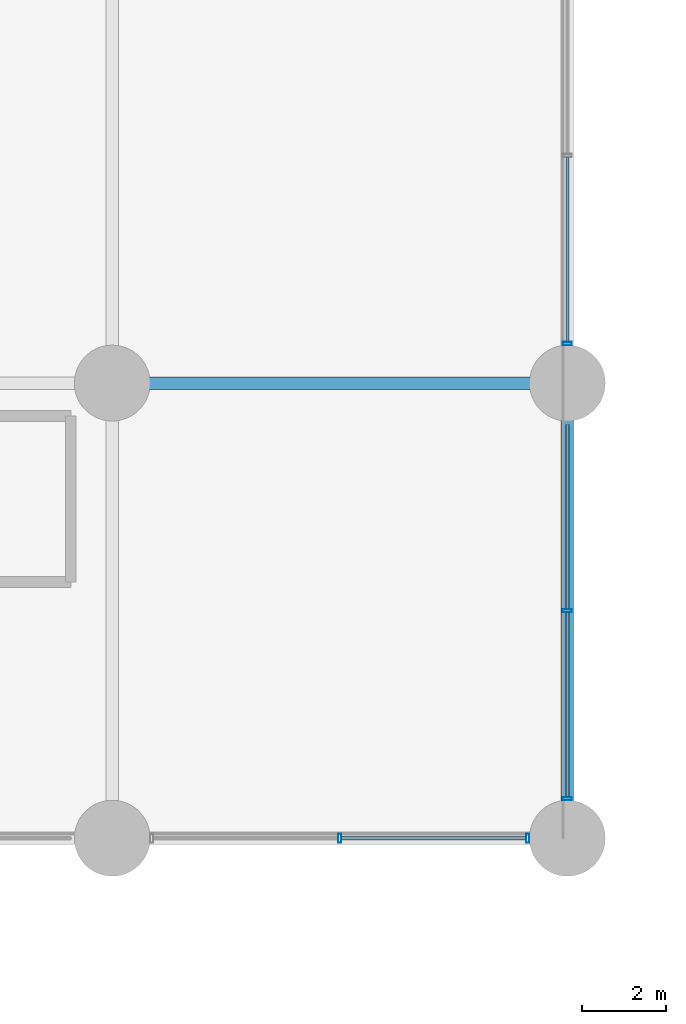
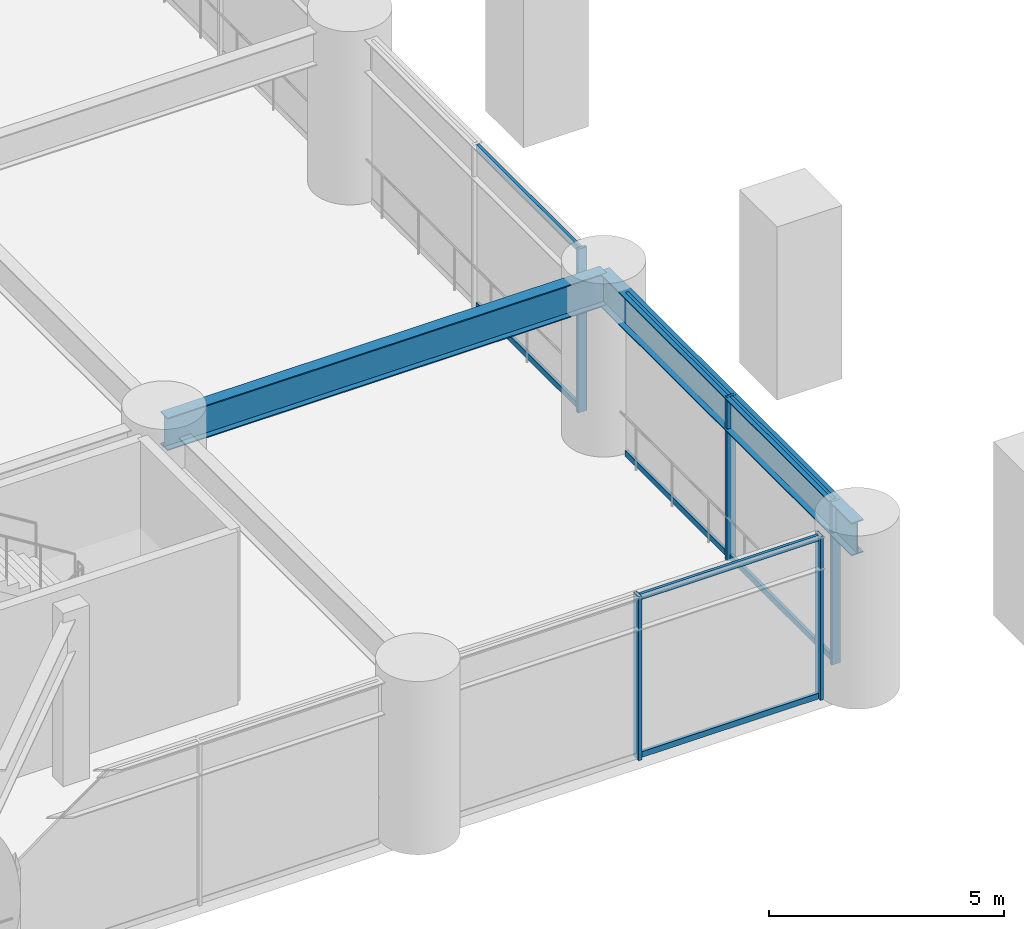
# One storey, part 18 of 31: 13 members, 2 beams, 2 elements without a shape of their own.
"""IFC4 building model written with IfcOpenShell, lengths in metres."""

from ifc_helpers import new_model, si_unit, direction, frame, origin, origin_2d, place, context, subcontext, project, spatial, hollow_rectangle, i_section, extrude, material, layer, layer_set, material_profile, profile_set, type_object, element, aggregate, save


model = new_model("IFC4")

# Units and contexts
model_context = context("Model", 3, precision=1e-05, world=origin(), true_north=direction((0.0, 1.0)))
body_context = subcontext(model_context, "Body", "Model", "MODEL_VIEW")
ifc_project = project(units=[si_unit("LENGTHUNIT", "METRE"), si_unit("AREAUNIT", "SQUARE_METRE"), si_unit("VOLUMEUNIT", "CUBIC_METRE"), si_unit("PLANEANGLEUNIT", "RADIAN"), si_unit("MASSUNIT", "GRAM", prefix="KILO")], contexts=[model_context])

# Site, building, storey
site_placement = place(None, origin())
site = spatial("IfcSite", under=ifc_project, at=site_placement, CompositionType="ELEMENT")
building_placement = place(site_placement, origin())
building = spatial("IfcBuilding", under=site, at=building_placement, Name="Surkhivell Harbour Commons", CompositionType="ELEMENT")
storey_placement = place(building_placement, frame((0.0, 0.0, 4.5)))
storey = spatial("IfcBuildingStorey", under=building, at=storey_placement, Name="L01", CompositionType="ELEMENT", Elevation=4.5)

# Beams
ifc_material_1 = material(Name="Steel S460", Category="steel")
ifc_material_profile_1 = material_profile(ifc_material_1, i_section(OverallWidth=0.2939453125, OverallDepth=0.85107421875, WebThickness=0.01611328125, FlangeThickness=0.02685546875, at=origin_2d()), Name="UB838x292x226")
ifc_profile_set_1 = profile_set([ifc_material_profile_1], Name="Steel S460")
beam_type = type_object("IfcBeamType", Name="BM-SPN-838", PredefinedType="SPANDREL", material=ifc_profile_set_1)
beam_1_placement = place(storey_placement, frame((21.60009765625, -10.800048828125, 3.824462890625), z_axis=(1.0, 0.0, 0.0), x_axis=(0.0, 1.0, 0.0)))
element("IfcBeam", 1, at=beam_1_placement, inside=storey, type_object=beam_type, Name="L01 Framing Beam (21.6,-10.8)", PredefinedType="SPANDREL", context=body_context, shape_type="SweptSolid", body=[
    extrude(i_section(OverallWidth=0.2939453125, OverallDepth=0.85107421875, WebThickness=0.01611328125, FlangeThickness=0.02685546875, at=origin_2d()), origin(), (0.0, 0.0, 1.0), 10.7998046875),
])
beam_2_placement = place(storey_placement, frame((32.39990234375, -21.60009765625, 3.824462890625), z_axis=(0.0, 1.0, 0.0), x_axis=(-1.0, 0.0, 0.0)))
element("IfcBeam", 2, at=beam_2_placement, inside=storey, type_object=beam_type, Name="L01 Framing Beam (32.4,-21.6)", PredefinedType="SPANDREL", context=body_context, shape_type="SweptSolid", body=[
    extrude(i_section(OverallWidth=0.2939453125, OverallDepth=0.85107421875, WebThickness=0.01611328125, FlangeThickness=0.02685546875, at=origin_2d()), origin(), (0.0, 0.0, 1.0), 10.800048828125),
])

# Curtain wall, members
ifc_material_2 = material(Name="Anodised pale-metal aluminium and insulated glazing", Category="aluminium")
ifc_layer = layer(ifc_material_2, 0.239990234375)
ifc_layer_set = layer_set([ifc_layer], Name="Anodised pale-metal aluminium and insulated glazing")
curtain_wall_type = type_object("IfcCurtainWallType", Name="CW-SYS-POD", PredefinedType="NOTDEFINED", material=ifc_layer_set)
curtain_wall_1_placement = place(storey_placement, origin())
curtain_wall_1 = element("IfcCurtainWall", 3, at=curtain_wall_1_placement, inside=storey, type_object=curtain_wall_type, Name="L01 Curtain Wall CW-L01-P01", PredefinedType="NOTDEFINED")
ifc_material_3 = material(Name="Anodised pale-metal aluminium alloy 6063-T6", Category="aluminium")
ifc_material_profile_2 = material_profile(ifc_material_3, hollow_rectangle(XDim=0.074951171875, YDim=0.219970703125, WallThickness=0.00390625, at=origin_2d()), Name="ALU-MULL-75x220")
ifc_profile_set_2 = profile_set([ifc_material_profile_2], Name="Anodised pale-metal aluminium alloy 6063-T6")
member_type_1 = type_object("IfcMemberType", Name="CWM-220", PredefinedType="MULLION", material=ifc_profile_set_2)
member_1_placement = place(storey_placement, frame((27.0, -21.60009765625, 0.0), z_axis=(0.0, 0.0, 1.0), x_axis=(1.0, 0.0, 0.0)))
member_1 = element("IfcMember", 4, at=member_1_placement, type_object=member_type_1, Name="CW-POD mullion 12", PredefinedType="MULLION", context=body_context, shape_type="SweptSolid", body=[
    extrude(hollow_rectangle(XDim=0.074951171875, YDim=0.219970703125, WallThickness=0.00390625, at=origin_2d()), origin(), (0.0, 0.0, 1.0), 4.25),
])
member_2_placement = place(storey_placement, frame((31.46044921875, -21.60009765625, 0.0), z_axis=(0.0, 0.0, 1.0), x_axis=(1.0, 0.0, 0.0)))
member_2 = element("IfcMember", 5, at=member_2_placement, type_object=member_type_1, Name="CW-POD mullion 13", PredefinedType="MULLION", context=body_context, shape_type="SweptSolid", body=[
    extrude(hollow_rectangle(XDim=0.074951171875, YDim=0.219970703125, WallThickness=0.00390625, at=origin_2d()), origin(), (0.0, 0.0, 1.0), 4.25),
])

curtain_wall_2_placement = place(storey_placement, origin())
curtain_wall_2 = element("IfcCurtainWall", 6, at=curtain_wall_2_placement, inside=storey, type_object=curtain_wall_type, Name="L01 Curtain Wall CW-L01-P02", PredefinedType="NOTDEFINED")
member_3_placement = place(storey_placement, frame((32.39990234375, -20.660400390625, 0.0), z_axis=(0.0, 0.0, 1.0), x_axis=(0.0, 1.0, 0.0)))
member_3 = element("IfcMember", 7, at=member_3_placement, type_object=member_type_1, Name="CW-POD mullion 1", PredefinedType="MULLION", context=body_context, shape_type="SweptSolid", body=[
    extrude(hollow_rectangle(XDim=0.074951171875, YDim=0.219970703125, WallThickness=0.00390625, at=origin_2d()), origin(), (0.0, 0.0, 1.0), 4.25),
])
member_4_placement = place(storey_placement, frame((32.39990234375, -16.199951171875, 0.0), z_axis=(0.0, 0.0, 1.0), x_axis=(0.0, 1.0, 0.0)))
member_4 = element("IfcMember", 8, at=member_4_placement, type_object=member_type_1, Name="CW-POD mullion 2", PredefinedType="MULLION", context=body_context, shape_type="SweptSolid", body=[
    extrude(hollow_rectangle(XDim=0.074951171875, YDim=0.219970703125, WallThickness=0.00390625, at=origin_2d()), origin(), (0.0, 0.0, 1.0), 4.25),
])
member_5_placement = place(storey_placement, frame((32.39990234375, -9.860595703125, 0.0), z_axis=(0.0, 0.0, 1.0), x_axis=(0.0, 1.0, 0.0)))
member_5 = element("IfcMember", 9, at=member_5_placement, type_object=member_type_1, Name="CW-POD mullion 3", PredefinedType="MULLION", context=body_context, shape_type="SweptSolid", body=[
    extrude(hollow_rectangle(XDim=0.074951171875, YDim=0.219970703125, WallThickness=0.00390625, at=origin_2d()), origin(), (0.0, 0.0, 1.0), 4.25),
])

# Member
ifc_material_profile_3 = material_profile(ifc_material_3, hollow_rectangle(XDim=0.074951171875, YDim=0.14990234375, WallThickness=0.00341796875, at=origin_2d()), Name="ALU-TRAN-75x150")
ifc_profile_set_3 = profile_set([ifc_material_profile_3], Name="Anodised pale-metal aluminium alloy 6063-T6")
member_type_2 = type_object("IfcMemberType", Name="CWT-150", PredefinedType="USERDEFINED", material=ifc_profile_set_3)
member_6_placement = place(storey_placement, frame((27.03759765625, -21.60009765625, 0.074951171875), z_axis=(1.0, 0.0, 0.0), x_axis=(0.0, 1.0, 0.0)))
member_6 = element("IfcMember", 10, at=member_6_placement, type_object=member_type_2, Name="CW-POD transom 12.1", ObjectType="TRANSOM", PredefinedType="USERDEFINED", context=body_context, shape_type="SweptSolid", body=[
    extrude(hollow_rectangle(XDim=0.074951171875, YDim=0.14990234375, WallThickness=0.00341796875, at=origin_2d()), origin(), (0.0, 0.0, 1.0), 4.385498046875),
])

member_7_placement = place(storey_placement, frame((27.03759765625, -21.60009765625, 4.175048828125), z_axis=(1.0, 0.0, 0.0), x_axis=(0.0, 1.0, 0.0)))
member_7 = element("IfcMember", 11, at=member_7_placement, type_object=member_type_2, Name="CW-POD transom 12.2", ObjectType="TRANSOM", PredefinedType="USERDEFINED", context=body_context, shape_type="SweptSolid", body=[
    extrude(hollow_rectangle(XDim=0.074951171875, YDim=0.14990234375, WallThickness=0.00341796875, at=origin_2d()), origin(), (0.0, 0.0, 1.0), 4.385498046875),
])

aggregate(curtain_wall_1, [member_1, member_2, member_6, member_7])

member_8_placement = place(storey_placement, frame((32.39990234375, -20.623046875, 0.074951171875), z_axis=(0.0, 1.0, 0.0), x_axis=(-1.0, 0.0, 0.0)))
member_8 = element("IfcMember", 12, at=member_8_placement, type_object=member_type_2, Name="CW-POD transom 1.1", ObjectType="TRANSOM", PredefinedType="USERDEFINED", context=body_context, shape_type="SweptSolid", body=[
    extrude(hollow_rectangle(XDim=0.074951171875, YDim=0.14990234375, WallThickness=0.00341796875, at=origin_2d()), origin(), (0.0, 0.0, 1.0), 4.385498046875),
])

member_9_placement = place(storey_placement, frame((32.39990234375, -20.623046875, 4.175048828125), z_axis=(0.0, 1.0, 0.0), x_axis=(-1.0, 0.0, 0.0)))
member_9 = element("IfcMember", 13, at=member_9_placement, type_object=member_type_2, Name="CW-POD transom 1.2", ObjectType="TRANSOM", PredefinedType="USERDEFINED", context=body_context, shape_type="SweptSolid", body=[
    extrude(hollow_rectangle(XDim=0.074951171875, YDim=0.14990234375, WallThickness=0.00341796875, at=origin_2d()), origin(), (0.0, 0.0, 1.0), 4.385498046875),
])

member_10_placement = place(storey_placement, frame((32.39990234375, -16.16259765625, 0.074951171875), z_axis=(0.0, 1.0, 0.0), x_axis=(-1.0, 0.0, 0.0)))
member_10 = element("IfcMember", 14, at=member_10_placement, type_object=member_type_2, Name="CW-POD transom 2.1", ObjectType="TRANSOM", PredefinedType="USERDEFINED", context=body_context, shape_type="SweptSolid", body=[
    extrude(hollow_rectangle(XDim=0.074951171875, YDim=0.14990234375, WallThickness=0.00341796875, at=origin_2d()), origin(), (0.0, 0.0, 1.0), 4.385498046875),
])

member_11_placement = place(storey_placement, frame((32.39990234375, -16.16259765625, 4.175048828125), z_axis=(0.0, 1.0, 0.0), x_axis=(-1.0, 0.0, 0.0)))
member_11 = element("IfcMember", 15, at=member_11_placement, type_object=member_type_2, Name="CW-POD transom 2.2", ObjectType="TRANSOM", PredefinedType="USERDEFINED", context=body_context, shape_type="SweptSolid", body=[
    extrude(hollow_rectangle(XDim=0.074951171875, YDim=0.14990234375, WallThickness=0.00341796875, at=origin_2d()), origin(), (0.0, 0.0, 1.0), 4.385498046875),
])

member_12_placement = place(storey_placement, frame((32.39990234375, -9.822998046875, 0.074951171875), z_axis=(0.0, 1.0, 0.0), x_axis=(-1.0, 0.0, 0.0)))
member_12 = element("IfcMember", 16, at=member_12_placement, type_object=member_type_2, Name="CW-POD transom 3.1", ObjectType="TRANSOM", PredefinedType="USERDEFINED", context=body_context, shape_type="SweptSolid", body=[
    extrude(hollow_rectangle(XDim=0.074951171875, YDim=0.14990234375, WallThickness=0.00341796875, at=origin_2d()), origin(), (0.0, 0.0, 1.0), 4.385498046875),
])

member_13_placement = place(storey_placement, frame((32.39990234375, -9.822998046875, 4.175048828125), z_axis=(0.0, 1.0, 0.0), x_axis=(-1.0, 0.0, 0.0)))
member_13 = element("IfcMember", 17, at=member_13_placement, type_object=member_type_2, Name="CW-POD transom 3.2", ObjectType="TRANSOM", PredefinedType="USERDEFINED", context=body_context, shape_type="SweptSolid", body=[
    extrude(hollow_rectangle(XDim=0.074951171875, YDim=0.14990234375, WallThickness=0.00341796875, at=origin_2d()), origin(), (0.0, 0.0, 1.0), 4.385498046875),
])

aggregate(curtain_wall_2, [member_3, member_4, member_8, member_9, member_10, member_11, member_5, member_12, member_13])

save(model, "model.ifc")
